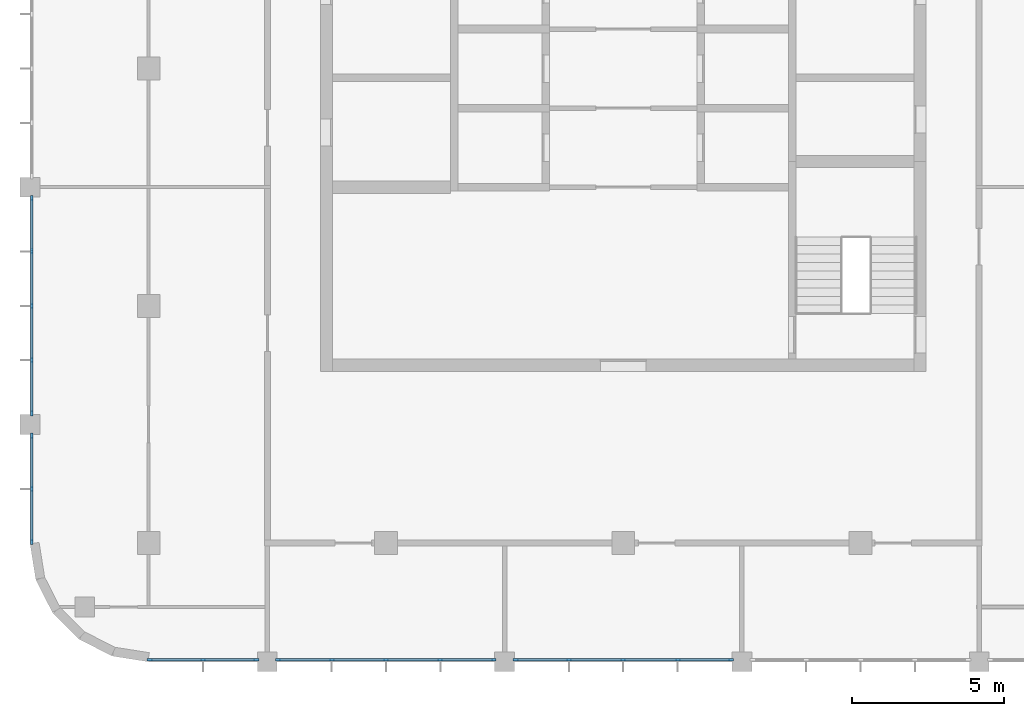
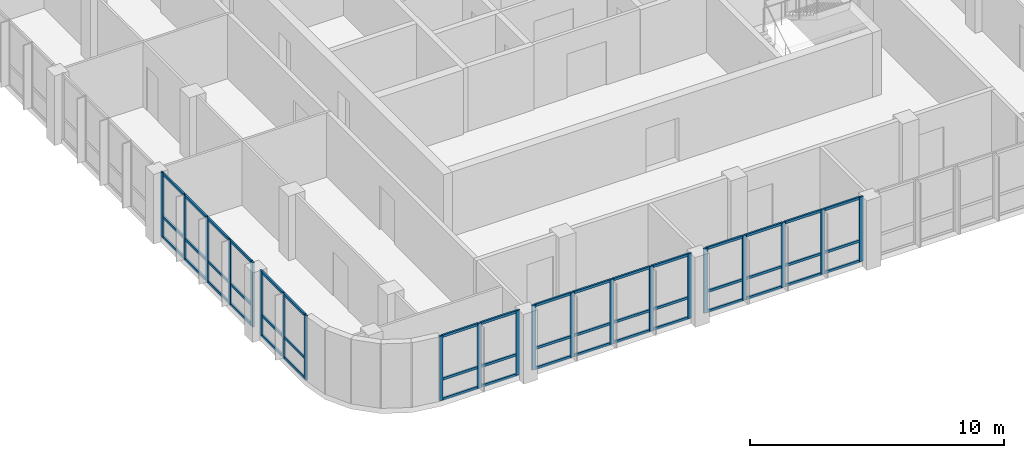
# One storey, part 2 of 17: 69 members, 5 elements without a shape of their own.
"""IFC4 building model written with IfcOpenShell, lengths in metres."""

from ifc_helpers import new_model, si_unit, direction, frame, origin, origin_2d, place, context, subcontext, project, spatial, rectangle, extrude, material, material_profile, profile_set, type_object, element, aggregate, save


model = new_model("IFC4")

# Units and contexts
model_context = context("Model", 3, precision=1e-05, world=origin(), true_north=direction((0.0, 1.0)))
body_context = subcontext(model_context, "Body", "Model", "MODEL_VIEW")
ifc_project = project(units=[si_unit("LENGTHUNIT", "METRE"), si_unit("AREAUNIT", "SQUARE_METRE"), si_unit("VOLUMEUNIT", "CUBIC_METRE"), si_unit("PLANEANGLEUNIT", "RADIAN"), si_unit("MASSUNIT", "GRAM", prefix="KILO")], contexts=[model_context])

# Site, building, storey
site_placement = place(None, origin())
site = spatial("IfcSite", under=ifc_project, at=site_placement, CompositionType="ELEMENT")
building_placement = place(site_placement, origin())
building = spatial("IfcBuilding", under=site, at=building_placement, Name="Ludao Terraces", CompositionType="ELEMENT")
storey_placement = place(building_placement, frame((0.0, 0.0, 263.0)))
storey = spatial("IfcBuildingStorey", under=building, at=storey_placement, Name="L72", CompositionType="ELEMENT", Elevation=263.0)

# Curtain wall, members
ifc_material_1 = material(Name="Aluminium curtain wall with fritted glass", Category="aluminium")
curtain_wall_type = type_object("IfcCurtainWallType", Name="ENV CW4 lounge glazing", PredefinedType="NOTDEFINED", material=ifc_material_1)
curtain_wall_1_placement = place(storey_placement, origin())
curtain_wall_1 = element("IfcCurtainWall", 1, at=curtain_wall_1_placement, inside=storey, type_object=curtain_wall_type, Name="Sky lounge glazing L72 S1", PredefinedType="NOTDEFINED")
ifc_material_2 = material(Name="Aluminium 6063-T6", Category="aluminium")
ifc_material_profile_1 = material_profile(ifc_material_2, rectangle(XDim=0.080078125, YDim=0.179931640625, at=origin_2d()), Name="80 X 180")
ifc_profile_set_1 = profile_set([ifc_material_profile_1], Name="Aluminium 6063-T6")
member_type_1 = type_object("IfcMemberType", Name="ENV CW4 mullion 80x180", PredefinedType="MULLION", material=ifc_profile_set_1)
member_1_placement = place(storey_placement, frame((69.43994140625, 45.56005859375, 0.0), z_axis=(0.0, 0.0, 1.0), x_axis=(0.0, 1.0, 0.0)))
member_1 = element("IfcMember", 2, at=member_1_placement, type_object=member_type_1, Name="CW4 mullion 1", PredefinedType="MULLION", context=body_context, shape_type="SweptSolid", body=[
    extrude(rectangle(XDim=0.080078125, YDim=0.179931640625, at=origin_2d()), origin(), (0.0, 0.0, 1.0), 3.10009765625),
])
member_2_placement = place(storey_placement, frame((71.1875, 45.56005859375, 0.0), z_axis=(0.0, 0.0, 1.0), x_axis=(0.0, 1.0, 0.0)))
member_2 = element("IfcMember", 3, at=member_2_placement, type_object=member_type_1, Name="CW4 mullion 2", PredefinedType="MULLION", context=body_context, shape_type="SweptSolid", body=[
    extrude(rectangle(XDim=0.080078125, YDim=0.179931640625, at=origin_2d()), origin(), (0.0, 0.0, 1.0), 3.10009765625),
])
member_3_placement = place(storey_placement, frame((72.93505859375, 45.56005859375, 0.0), z_axis=(0.0, 0.0, 1.0), x_axis=(0.0, 1.0, 0.0)))
member_3 = element("IfcMember", 4, at=member_3_placement, type_object=member_type_1, Name="CW4 mullion 3", PredefinedType="MULLION", context=body_context, shape_type="SweptSolid", body=[
    extrude(rectangle(XDim=0.080078125, YDim=0.179931640625, at=origin_2d()), origin(), (0.0, 0.0, 1.0), 3.10009765625),
])

curtain_wall_2_placement = place(storey_placement, origin())
curtain_wall_2 = element("IfcCurtainWall", 5, at=curtain_wall_2_placement, inside=storey, type_object=curtain_wall_type, Name="Sky lounge glazing L72 S2", PredefinedType="NOTDEFINED")
member_4_placement = place(storey_placement, frame((73.6650390625, 45.56005859375, 0.0), z_axis=(0.0, 0.0, 1.0), x_axis=(0.0, 1.0, 0.0)))
member_4 = element("IfcMember", 6, at=member_4_placement, type_object=member_type_1, Name="CW4 mullion 1", PredefinedType="MULLION", context=body_context, shape_type="SweptSolid", body=[
    extrude(rectangle(XDim=0.080078125, YDim=0.179931640625, at=origin_2d()), origin(), (0.0, 0.0, 1.0), 3.10009765625),
])
member_5_placement = place(storey_placement, frame((75.41259765625, 45.56005859375, 0.0), z_axis=(0.0, 0.0, 1.0), x_axis=(0.0, 1.0, 0.0)))
member_5 = element("IfcMember", 7, at=member_5_placement, type_object=member_type_1, Name="CW4 mullion 2", PredefinedType="MULLION", context=body_context, shape_type="SweptSolid", body=[
    extrude(rectangle(XDim=0.080078125, YDim=0.179931640625, at=origin_2d()), origin(), (0.0, 0.0, 1.0), 3.10009765625),
])
member_6_placement = place(storey_placement, frame((77.199951171875, 45.56005859375, 0.0), z_axis=(0.0, 0.0, 1.0), x_axis=(0.0, 1.0, 0.0)))
member_6 = element("IfcMember", 8, at=member_6_placement, type_object=member_type_1, Name="CW4 mullion 3", PredefinedType="MULLION", context=body_context, shape_type="SweptSolid", body=[
    extrude(rectangle(XDim=0.080078125, YDim=0.179931640625, at=origin_2d()), origin(), (0.0, 0.0, 1.0), 3.10009765625),
])
member_7_placement = place(storey_placement, frame((78.987548828125, 45.56005859375, 0.0), z_axis=(0.0, 0.0, 1.0), x_axis=(0.0, 1.0, 0.0)))
member_7 = element("IfcMember", 9, at=member_7_placement, type_object=member_type_1, Name="CW4 mullion 4", PredefinedType="MULLION", context=body_context, shape_type="SweptSolid", body=[
    extrude(rectangle(XDim=0.080078125, YDim=0.179931640625, at=origin_2d()), origin(), (0.0, 0.0, 1.0), 3.10009765625),
])
member_8_placement = place(storey_placement, frame((80.735107421875, 45.56005859375, 0.0), z_axis=(0.0, 0.0, 1.0), x_axis=(0.0, 1.0, 0.0)))
member_8 = element("IfcMember", 10, at=member_8_placement, type_object=member_type_1, Name="CW4 mullion 5", PredefinedType="MULLION", context=body_context, shape_type="SweptSolid", body=[
    extrude(rectangle(XDim=0.080078125, YDim=0.179931640625, at=origin_2d()), origin(), (0.0, 0.0, 1.0), 3.10009765625),
])

curtain_wall_3_placement = place(storey_placement, origin())
curtain_wall_3 = element("IfcCurtainWall", 11, at=curtain_wall_3_placement, inside=storey, type_object=curtain_wall_type, Name="Sky lounge glazing L72 S3", PredefinedType="NOTDEFINED")
member_9_placement = place(storey_placement, frame((81.465087890625, 45.56005859375, 0.0), z_axis=(0.0, 0.0, 1.0), x_axis=(0.0, 1.0, 0.0)))
member_9 = element("IfcMember", 12, at=member_9_placement, type_object=member_type_1, Name="CW4 mullion 1", PredefinedType="MULLION", context=body_context, shape_type="SweptSolid", body=[
    extrude(rectangle(XDim=0.080078125, YDim=0.179931640625, at=origin_2d()), origin(), (0.0, 0.0, 1.0), 3.10009765625),
])
member_10_placement = place(storey_placement, frame((83.21240234375, 45.56005859375, 0.0), z_axis=(0.0, 0.0, 1.0), x_axis=(0.0, 1.0, 0.0)))
member_10 = element("IfcMember", 13, at=member_10_placement, type_object=member_type_1, Name="CW4 mullion 2", PredefinedType="MULLION", context=body_context, shape_type="SweptSolid", body=[
    extrude(rectangle(XDim=0.080078125, YDim=0.179931640625, at=origin_2d()), origin(), (0.0, 0.0, 1.0), 3.10009765625),
])
member_11_placement = place(storey_placement, frame((85.0, 45.56005859375, 0.0), z_axis=(0.0, 0.0, 1.0), x_axis=(0.0, 1.0, 0.0)))
member_11 = element("IfcMember", 14, at=member_11_placement, type_object=member_type_1, Name="CW4 mullion 3", PredefinedType="MULLION", context=body_context, shape_type="SweptSolid", body=[
    extrude(rectangle(XDim=0.080078125, YDim=0.179931640625, at=origin_2d()), origin(), (0.0, 0.0, 1.0), 3.10009765625),
])
member_12_placement = place(storey_placement, frame((86.78759765625, 45.56005859375, 0.0), z_axis=(0.0, 0.0, 1.0), x_axis=(0.0, 1.0, 0.0)))
member_12 = element("IfcMember", 15, at=member_12_placement, type_object=member_type_1, Name="CW4 mullion 4", PredefinedType="MULLION", context=body_context, shape_type="SweptSolid", body=[
    extrude(rectangle(XDim=0.080078125, YDim=0.179931640625, at=origin_2d()), origin(), (0.0, 0.0, 1.0), 3.10009765625),
])
member_13_placement = place(storey_placement, frame((88.534912109375, 45.56005859375, 0.0), z_axis=(0.0, 0.0, 1.0), x_axis=(0.0, 1.0, 0.0)))
member_13 = element("IfcMember", 16, at=member_13_placement, type_object=member_type_1, Name="CW4 mullion 5", PredefinedType="MULLION", context=body_context, shape_type="SweptSolid", body=[
    extrude(rectangle(XDim=0.080078125, YDim=0.179931640625, at=origin_2d()), origin(), (0.0, 0.0, 1.0), 3.10009765625),
])

curtain_wall_4_placement = place(storey_placement, origin())
curtain_wall_4 = element("IfcCurtainWall", 17, at=curtain_wall_4_placement, inside=storey, type_object=curtain_wall_type, Name="Sky lounge glazing L72 W1", PredefinedType="NOTDEFINED")
member_14_placement = place(storey_placement, frame((65.56005859375, 49.43994140625, 0.0), z_axis=(0.0, 0.0, 1.0), x_axis=(-1.0, 0.0, 0.0)))
member_14 = element("IfcMember", 18, at=member_14_placement, type_object=member_type_1, Name="CW4 mullion 1", PredefinedType="MULLION", context=body_context, shape_type="SweptSolid", body=[
    extrude(rectangle(XDim=0.080078125, YDim=0.179931640625, at=origin_2d()), origin(), (0.0, 0.0, 1.0), 3.10009765625),
])
member_15_placement = place(storey_placement, frame((65.56005859375, 51.1875, 0.0), z_axis=(0.0, 0.0, 1.0), x_axis=(-1.0, 0.0, 0.0)))
member_15 = element("IfcMember", 19, at=member_15_placement, type_object=member_type_1, Name="CW4 mullion 2", PredefinedType="MULLION", context=body_context, shape_type="SweptSolid", body=[
    extrude(rectangle(XDim=0.080078125, YDim=0.179931640625, at=origin_2d()), origin(), (0.0, 0.0, 1.0), 3.10009765625),
])
member_16_placement = place(storey_placement, frame((65.56005859375, 52.93505859375, 0.0), z_axis=(0.0, 0.0, 1.0), x_axis=(-1.0, 0.0, 0.0)))
member_16 = element("IfcMember", 20, at=member_16_placement, type_object=member_type_1, Name="CW4 mullion 3", PredefinedType="MULLION", context=body_context, shape_type="SweptSolid", body=[
    extrude(rectangle(XDim=0.080078125, YDim=0.179931640625, at=origin_2d()), origin(), (0.0, 0.0, 1.0), 3.10009765625),
])

curtain_wall_5_placement = place(storey_placement, origin())
curtain_wall_5 = element("IfcCurtainWall", 21, at=curtain_wall_5_placement, inside=storey, type_object=curtain_wall_type, Name="Sky lounge glazing L72 W2", PredefinedType="NOTDEFINED")
member_17_placement = place(storey_placement, frame((65.56005859375, 53.6650390625, 0.0), z_axis=(0.0, 0.0, 1.0), x_axis=(-1.0, 0.0, 0.0)))
member_17 = element("IfcMember", 22, at=member_17_placement, type_object=member_type_1, Name="CW4 mullion 1", PredefinedType="MULLION", context=body_context, shape_type="SweptSolid", body=[
    extrude(rectangle(XDim=0.080078125, YDim=0.179931640625, at=origin_2d()), origin(), (0.0, 0.0, 1.0), 3.10009765625),
])
member_18_placement = place(storey_placement, frame((65.56005859375, 55.41259765625, 0.0), z_axis=(0.0, 0.0, 1.0), x_axis=(-1.0, 0.0, 0.0)))
member_18 = element("IfcMember", 23, at=member_18_placement, type_object=member_type_1, Name="CW4 mullion 2", PredefinedType="MULLION", context=body_context, shape_type="SweptSolid", body=[
    extrude(rectangle(XDim=0.080078125, YDim=0.179931640625, at=origin_2d()), origin(), (0.0, 0.0, 1.0), 3.10009765625),
])
member_19_placement = place(storey_placement, frame((65.56005859375, 57.199951171875, 0.0), z_axis=(0.0, 0.0, 1.0), x_axis=(-1.0, 0.0, 0.0)))
member_19 = element("IfcMember", 24, at=member_19_placement, type_object=member_type_1, Name="CW4 mullion 3", PredefinedType="MULLION", context=body_context, shape_type="SweptSolid", body=[
    extrude(rectangle(XDim=0.080078125, YDim=0.179931640625, at=origin_2d()), origin(), (0.0, 0.0, 1.0), 3.10009765625),
])
member_20_placement = place(storey_placement, frame((65.56005859375, 58.987548828125, 0.0), z_axis=(0.0, 0.0, 1.0), x_axis=(-1.0, 0.0, 0.0)))
member_20 = element("IfcMember", 25, at=member_20_placement, type_object=member_type_1, Name="CW4 mullion 4", PredefinedType="MULLION", context=body_context, shape_type="SweptSolid", body=[
    extrude(rectangle(XDim=0.080078125, YDim=0.179931640625, at=origin_2d()), origin(), (0.0, 0.0, 1.0), 3.10009765625),
])
member_21_placement = place(storey_placement, frame((65.56005859375, 60.735107421875, 0.0), z_axis=(0.0, 0.0, 1.0), x_axis=(-1.0, 0.0, 0.0)))
member_21 = element("IfcMember", 26, at=member_21_placement, type_object=member_type_1, Name="CW4 mullion 5", PredefinedType="MULLION", context=body_context, shape_type="SweptSolid", body=[
    extrude(rectangle(XDim=0.080078125, YDim=0.179931640625, at=origin_2d()), origin(), (0.0, 0.0, 1.0), 3.10009765625),
])

# Member
ifc_material_profile_2 = material_profile(ifc_material_2, rectangle(XDim=0.080078125, YDim=0.1201171875, at=origin_2d()), Name="80 X 120")
ifc_profile_set_2 = profile_set([ifc_material_profile_2], Name="Aluminium 6063-T6")
member_type_2 = type_object("IfcMemberType", Name="ENV CW4 transom 80x120", PredefinedType="USERDEFINED", material=ifc_profile_set_2)
member_22_placement = place(storey_placement, frame((69.47998046875, 45.56005859375, 0.0400390625), z_axis=(1.0, 0.0, 0.0), x_axis=(0.0, 1.0, 0.0)))
member_22 = element("IfcMember", 27, at=member_22_placement, type_object=member_type_2, Name="CW4 transom 1.1", ObjectType="TRANSOM", PredefinedType="USERDEFINED", context=body_context, shape_type="SweptSolid", body=[
    extrude(rectangle(XDim=0.080078125, YDim=0.1201171875, at=origin_2d()), origin(), (0.0, 0.0, 1.0), 1.66748046875),
])

member_23_placement = place(storey_placement, frame((69.47998046875, 45.56005859375, 1.0), z_axis=(1.0, 0.0, 0.0), x_axis=(0.0, 1.0, 0.0)))
member_23 = element("IfcMember", 28, at=member_23_placement, type_object=member_type_2, Name="CW4 transom 1.2", ObjectType="TRANSOM", PredefinedType="USERDEFINED", context=body_context, shape_type="SweptSolid", body=[
    extrude(rectangle(XDim=0.080078125, YDim=0.1201171875, at=origin_2d()), origin(), (0.0, 0.0, 1.0), 1.66748046875),
])

member_24_placement = place(storey_placement, frame((69.47998046875, 45.56005859375, 3.06005859375), z_axis=(1.0, 0.0, 0.0), x_axis=(0.0, 1.0, 0.0)))
member_24 = element("IfcMember", 29, at=member_24_placement, type_object=member_type_2, Name="CW4 transom 1.3", ObjectType="TRANSOM", PredefinedType="USERDEFINED", context=body_context, shape_type="SweptSolid", body=[
    extrude(rectangle(XDim=0.080078125, YDim=0.1201171875, at=origin_2d()), origin(), (0.0, 0.0, 1.0), 1.66748046875),
])

member_25_placement = place(storey_placement, frame((71.2275390625, 45.56005859375, 0.0400390625), z_axis=(1.0, 0.0, 0.0), x_axis=(0.0, 1.0, 0.0)))
member_25 = element("IfcMember", 30, at=member_25_placement, type_object=member_type_2, Name="CW4 transom 2.1", ObjectType="TRANSOM", PredefinedType="USERDEFINED", context=body_context, shape_type="SweptSolid", body=[
    extrude(rectangle(XDim=0.080078125, YDim=0.1201171875, at=origin_2d()), origin(), (0.0, 0.0, 1.0), 1.66748046875),
])

member_26_placement = place(storey_placement, frame((71.2275390625, 45.56005859375, 1.0), z_axis=(1.0, 0.0, 0.0), x_axis=(0.0, 1.0, 0.0)))
member_26 = element("IfcMember", 31, at=member_26_placement, type_object=member_type_2, Name="CW4 transom 2.2", ObjectType="TRANSOM", PredefinedType="USERDEFINED", context=body_context, shape_type="SweptSolid", body=[
    extrude(rectangle(XDim=0.080078125, YDim=0.1201171875, at=origin_2d()), origin(), (0.0, 0.0, 1.0), 1.66748046875),
])

member_27_placement = place(storey_placement, frame((71.2275390625, 45.56005859375, 3.06005859375), z_axis=(1.0, 0.0, 0.0), x_axis=(0.0, 1.0, 0.0)))
member_27 = element("IfcMember", 32, at=member_27_placement, type_object=member_type_2, Name="CW4 transom 2.3", ObjectType="TRANSOM", PredefinedType="USERDEFINED", context=body_context, shape_type="SweptSolid", body=[
    extrude(rectangle(XDim=0.080078125, YDim=0.1201171875, at=origin_2d()), origin(), (0.0, 0.0, 1.0), 1.66748046875),
])

aggregate(curtain_wall_1, [member_1, member_2, member_3, member_22, member_23, member_24, member_25, member_26, member_27])

member_28_placement = place(storey_placement, frame((73.705078125, 45.56005859375, 0.0400390625), z_axis=(1.0, 0.0, 0.0), x_axis=(0.0, 1.0, 0.0)))
member_28 = element("IfcMember", 33, at=member_28_placement, type_object=member_type_2, Name="CW4 transom 1.1", ObjectType="TRANSOM", PredefinedType="USERDEFINED", context=body_context, shape_type="SweptSolid", body=[
    extrude(rectangle(XDim=0.080078125, YDim=0.1201171875, at=origin_2d()), origin(), (0.0, 0.0, 1.0), 1.66748046875),
])

member_29_placement = place(storey_placement, frame((73.705078125, 45.56005859375, 1.0), z_axis=(1.0, 0.0, 0.0), x_axis=(0.0, 1.0, 0.0)))
member_29 = element("IfcMember", 34, at=member_29_placement, type_object=member_type_2, Name="CW4 transom 1.2", ObjectType="TRANSOM", PredefinedType="USERDEFINED", context=body_context, shape_type="SweptSolid", body=[
    extrude(rectangle(XDim=0.080078125, YDim=0.1201171875, at=origin_2d()), origin(), (0.0, 0.0, 1.0), 1.66748046875),
])

member_30_placement = place(storey_placement, frame((73.705078125, 45.56005859375, 3.06005859375), z_axis=(1.0, 0.0, 0.0), x_axis=(0.0, 1.0, 0.0)))
member_30 = element("IfcMember", 35, at=member_30_placement, type_object=member_type_2, Name="CW4 transom 1.3", ObjectType="TRANSOM", PredefinedType="USERDEFINED", context=body_context, shape_type="SweptSolid", body=[
    extrude(rectangle(XDim=0.080078125, YDim=0.1201171875, at=origin_2d()), origin(), (0.0, 0.0, 1.0), 1.66748046875),
])

member_31_placement = place(storey_placement, frame((75.452392578125, 45.56005859375, 0.0400390625), z_axis=(1.0, 0.0, 0.0), x_axis=(0.0, 1.0, 0.0)))
member_31 = element("IfcMember", 36, at=member_31_placement, type_object=member_type_2, Name="CW4 transom 2.1", ObjectType="TRANSOM", PredefinedType="USERDEFINED", context=body_context, shape_type="SweptSolid", body=[
    extrude(rectangle(XDim=0.080078125, YDim=0.1201171875, at=origin_2d()), origin(), (0.0, 0.0, 1.0), 1.70751953125),
])

member_32_placement = place(storey_placement, frame((75.452392578125, 45.56005859375, 1.0), z_axis=(1.0, 0.0, 0.0), x_axis=(0.0, 1.0, 0.0)))
member_32 = element("IfcMember", 37, at=member_32_placement, type_object=member_type_2, Name="CW4 transom 2.2", ObjectType="TRANSOM", PredefinedType="USERDEFINED", context=body_context, shape_type="SweptSolid", body=[
    extrude(rectangle(XDim=0.080078125, YDim=0.1201171875, at=origin_2d()), origin(), (0.0, 0.0, 1.0), 1.70751953125),
])

member_33_placement = place(storey_placement, frame((75.452392578125, 45.56005859375, 3.06005859375), z_axis=(1.0, 0.0, 0.0), x_axis=(0.0, 1.0, 0.0)))
member_33 = element("IfcMember", 38, at=member_33_placement, type_object=member_type_2, Name="CW4 transom 2.3", ObjectType="TRANSOM", PredefinedType="USERDEFINED", context=body_context, shape_type="SweptSolid", body=[
    extrude(rectangle(XDim=0.080078125, YDim=0.1201171875, at=origin_2d()), origin(), (0.0, 0.0, 1.0), 1.70751953125),
])

member_34_placement = place(storey_placement, frame((77.239990234375, 45.56005859375, 0.0400390625), z_axis=(1.0, 0.0, 0.0), x_axis=(0.0, 1.0, 0.0)))
member_34 = element("IfcMember", 39, at=member_34_placement, type_object=member_type_2, Name="CW4 transom 3.1", ObjectType="TRANSOM", PredefinedType="USERDEFINED", context=body_context, shape_type="SweptSolid", body=[
    extrude(rectangle(XDim=0.080078125, YDim=0.1201171875, at=origin_2d()), origin(), (0.0, 0.0, 1.0), 1.70751953125),
])

member_35_placement = place(storey_placement, frame((77.239990234375, 45.56005859375, 1.0), z_axis=(1.0, 0.0, 0.0), x_axis=(0.0, 1.0, 0.0)))
member_35 = element("IfcMember", 40, at=member_35_placement, type_object=member_type_2, Name="CW4 transom 3.2", ObjectType="TRANSOM", PredefinedType="USERDEFINED", context=body_context, shape_type="SweptSolid", body=[
    extrude(rectangle(XDim=0.080078125, YDim=0.1201171875, at=origin_2d()), origin(), (0.0, 0.0, 1.0), 1.70751953125),
])

member_36_placement = place(storey_placement, frame((77.239990234375, 45.56005859375, 3.06005859375), z_axis=(1.0, 0.0, 0.0), x_axis=(0.0, 1.0, 0.0)))
member_36 = element("IfcMember", 41, at=member_36_placement, type_object=member_type_2, Name="CW4 transom 3.3", ObjectType="TRANSOM", PredefinedType="USERDEFINED", context=body_context, shape_type="SweptSolid", body=[
    extrude(rectangle(XDim=0.080078125, YDim=0.1201171875, at=origin_2d()), origin(), (0.0, 0.0, 1.0), 1.70751953125),
])

member_37_placement = place(storey_placement, frame((79.027587890625, 45.56005859375, 0.0400390625), z_axis=(1.0, 0.0, 0.0), x_axis=(0.0, 1.0, 0.0)))
member_37 = element("IfcMember", 42, at=member_37_placement, type_object=member_type_2, Name="CW4 transom 4.1", ObjectType="TRANSOM", PredefinedType="USERDEFINED", context=body_context, shape_type="SweptSolid", body=[
    extrude(rectangle(XDim=0.080078125, YDim=0.1201171875, at=origin_2d()), origin(), (0.0, 0.0, 1.0), 1.66748046875),
])

member_38_placement = place(storey_placement, frame((79.027587890625, 45.56005859375, 1.0), z_axis=(1.0, 0.0, 0.0), x_axis=(0.0, 1.0, 0.0)))
member_38 = element("IfcMember", 43, at=member_38_placement, type_object=member_type_2, Name="CW4 transom 4.2", ObjectType="TRANSOM", PredefinedType="USERDEFINED", context=body_context, shape_type="SweptSolid", body=[
    extrude(rectangle(XDim=0.080078125, YDim=0.1201171875, at=origin_2d()), origin(), (0.0, 0.0, 1.0), 1.66748046875),
])

member_39_placement = place(storey_placement, frame((79.027587890625, 45.56005859375, 3.06005859375), z_axis=(1.0, 0.0, 0.0), x_axis=(0.0, 1.0, 0.0)))
member_39 = element("IfcMember", 44, at=member_39_placement, type_object=member_type_2, Name="CW4 transom 4.3", ObjectType="TRANSOM", PredefinedType="USERDEFINED", context=body_context, shape_type="SweptSolid", body=[
    extrude(rectangle(XDim=0.080078125, YDim=0.1201171875, at=origin_2d()), origin(), (0.0, 0.0, 1.0), 1.66748046875),
])

aggregate(curtain_wall_2, [member_4, member_5, member_6, member_7, member_8, member_28, member_29, member_30, member_31, member_32, member_33, member_34, member_35, member_36, member_37, member_38, member_39])

member_40_placement = place(storey_placement, frame((81.5048828125, 45.56005859375, 0.0400390625), z_axis=(1.0, 0.0, 0.0), x_axis=(0.0, 1.0, 0.0)))
member_40 = element("IfcMember", 45, at=member_40_placement, type_object=member_type_2, Name="CW4 transom 1.1", ObjectType="TRANSOM", PredefinedType="USERDEFINED", context=body_context, shape_type="SweptSolid", body=[
    extrude(rectangle(XDim=0.080078125, YDim=0.1201171875, at=origin_2d()), origin(), (0.0, 0.0, 1.0), 1.667724609375),
])

member_41_placement = place(storey_placement, frame((81.5048828125, 45.56005859375, 1.0), z_axis=(1.0, 0.0, 0.0), x_axis=(0.0, 1.0, 0.0)))
member_41 = element("IfcMember", 46, at=member_41_placement, type_object=member_type_2, Name="CW4 transom 1.2", ObjectType="TRANSOM", PredefinedType="USERDEFINED", context=body_context, shape_type="SweptSolid", body=[
    extrude(rectangle(XDim=0.080078125, YDim=0.1201171875, at=origin_2d()), origin(), (0.0, 0.0, 1.0), 1.667724609375),
])

member_42_placement = place(storey_placement, frame((81.5048828125, 45.56005859375, 3.06005859375), z_axis=(1.0, 0.0, 0.0), x_axis=(0.0, 1.0, 0.0)))
member_42 = element("IfcMember", 47, at=member_42_placement, type_object=member_type_2, Name="CW4 transom 1.3", ObjectType="TRANSOM", PredefinedType="USERDEFINED", context=body_context, shape_type="SweptSolid", body=[
    extrude(rectangle(XDim=0.080078125, YDim=0.1201171875, at=origin_2d()), origin(), (0.0, 0.0, 1.0), 1.667724609375),
])

member_43_placement = place(storey_placement, frame((83.25244140625, 45.56005859375, 0.0400390625), z_axis=(1.0, 0.0, 0.0), x_axis=(0.0, 1.0, 0.0)))
member_43 = element("IfcMember", 48, at=member_43_placement, type_object=member_type_2, Name="CW4 transom 2.1", ObjectType="TRANSOM", PredefinedType="USERDEFINED", context=body_context, shape_type="SweptSolid", body=[
    extrude(rectangle(XDim=0.080078125, YDim=0.1201171875, at=origin_2d()), origin(), (0.0, 0.0, 1.0), 1.70751953125),
])

member_44_placement = place(storey_placement, frame((83.25244140625, 45.56005859375, 1.0), z_axis=(1.0, 0.0, 0.0), x_axis=(0.0, 1.0, 0.0)))
member_44 = element("IfcMember", 49, at=member_44_placement, type_object=member_type_2, Name="CW4 transom 2.2", ObjectType="TRANSOM", PredefinedType="USERDEFINED", context=body_context, shape_type="SweptSolid", body=[
    extrude(rectangle(XDim=0.080078125, YDim=0.1201171875, at=origin_2d()), origin(), (0.0, 0.0, 1.0), 1.70751953125),
])

member_45_placement = place(storey_placement, frame((83.25244140625, 45.56005859375, 3.06005859375), z_axis=(1.0, 0.0, 0.0), x_axis=(0.0, 1.0, 0.0)))
member_45 = element("IfcMember", 50, at=member_45_placement, type_object=member_type_2, Name="CW4 transom 2.3", ObjectType="TRANSOM", PredefinedType="USERDEFINED", context=body_context, shape_type="SweptSolid", body=[
    extrude(rectangle(XDim=0.080078125, YDim=0.1201171875, at=origin_2d()), origin(), (0.0, 0.0, 1.0), 1.70751953125),
])

member_46_placement = place(storey_placement, frame((85.0400390625, 45.56005859375, 0.0400390625), z_axis=(1.0, 0.0, 0.0), x_axis=(0.0, 1.0, 0.0)))
member_46 = element("IfcMember", 51, at=member_46_placement, type_object=member_type_2, Name="CW4 transom 3.1", ObjectType="TRANSOM", PredefinedType="USERDEFINED", context=body_context, shape_type="SweptSolid", body=[
    extrude(rectangle(XDim=0.080078125, YDim=0.1201171875, at=origin_2d()), origin(), (0.0, 0.0, 1.0), 1.70751953125),
])

member_47_placement = place(storey_placement, frame((85.0400390625, 45.56005859375, 1.0), z_axis=(1.0, 0.0, 0.0), x_axis=(0.0, 1.0, 0.0)))
member_47 = element("IfcMember", 52, at=member_47_placement, type_object=member_type_2, Name="CW4 transom 3.2", ObjectType="TRANSOM", PredefinedType="USERDEFINED", context=body_context, shape_type="SweptSolid", body=[
    extrude(rectangle(XDim=0.080078125, YDim=0.1201171875, at=origin_2d()), origin(), (0.0, 0.0, 1.0), 1.70751953125),
])

member_48_placement = place(storey_placement, frame((85.0400390625, 45.56005859375, 3.06005859375), z_axis=(1.0, 0.0, 0.0), x_axis=(0.0, 1.0, 0.0)))
member_48 = element("IfcMember", 53, at=member_48_placement, type_object=member_type_2, Name="CW4 transom 3.3", ObjectType="TRANSOM", PredefinedType="USERDEFINED", context=body_context, shape_type="SweptSolid", body=[
    extrude(rectangle(XDim=0.080078125, YDim=0.1201171875, at=origin_2d()), origin(), (0.0, 0.0, 1.0), 1.70751953125),
])

member_49_placement = place(storey_placement, frame((86.827392578125, 45.56005859375, 0.0400390625), z_axis=(1.0, 0.0, 0.0), x_axis=(0.0, 1.0, 0.0)))
member_49 = element("IfcMember", 54, at=member_49_placement, type_object=member_type_2, Name="CW4 transom 4.1", ObjectType="TRANSOM", PredefinedType="USERDEFINED", context=body_context, shape_type="SweptSolid", body=[
    extrude(rectangle(XDim=0.080078125, YDim=0.1201171875, at=origin_2d()), origin(), (0.0, 0.0, 1.0), 1.667724609375),
])

member_50_placement = place(storey_placement, frame((86.827392578125, 45.56005859375, 1.0), z_axis=(1.0, 0.0, 0.0), x_axis=(0.0, 1.0, 0.0)))
member_50 = element("IfcMember", 55, at=member_50_placement, type_object=member_type_2, Name="CW4 transom 4.2", ObjectType="TRANSOM", PredefinedType="USERDEFINED", context=body_context, shape_type="SweptSolid", body=[
    extrude(rectangle(XDim=0.080078125, YDim=0.1201171875, at=origin_2d()), origin(), (0.0, 0.0, 1.0), 1.667724609375),
])

member_51_placement = place(storey_placement, frame((86.827392578125, 45.56005859375, 3.06005859375), z_axis=(1.0, 0.0, 0.0), x_axis=(0.0, 1.0, 0.0)))
member_51 = element("IfcMember", 56, at=member_51_placement, type_object=member_type_2, Name="CW4 transom 4.3", ObjectType="TRANSOM", PredefinedType="USERDEFINED", context=body_context, shape_type="SweptSolid", body=[
    extrude(rectangle(XDim=0.080078125, YDim=0.1201171875, at=origin_2d()), origin(), (0.0, 0.0, 1.0), 1.667724609375),
])

aggregate(curtain_wall_3, [member_9, member_10, member_11, member_12, member_13, member_40, member_41, member_42, member_43, member_44, member_45, member_46, member_47, member_48, member_49, member_50, member_51])

member_52_placement = place(storey_placement, frame((65.56005859375, 49.47998046875, 0.0400390625), z_axis=(0.0, 1.0, 0.0), x_axis=(-1.0, 0.0, 0.0)))
member_52 = element("IfcMember", 57, at=member_52_placement, type_object=member_type_2, Name="CW4 transom 1.1", ObjectType="TRANSOM", PredefinedType="USERDEFINED", context=body_context, shape_type="SweptSolid", body=[
    extrude(rectangle(XDim=0.080078125, YDim=0.1201171875, at=origin_2d()), origin(), (0.0, 0.0, 1.0), 1.66748046875),
])

member_53_placement = place(storey_placement, frame((65.56005859375, 49.47998046875, 1.0), z_axis=(0.0, 1.0, 0.0), x_axis=(-1.0, 0.0, 0.0)))
member_53 = element("IfcMember", 58, at=member_53_placement, type_object=member_type_2, Name="CW4 transom 1.2", ObjectType="TRANSOM", PredefinedType="USERDEFINED", context=body_context, shape_type="SweptSolid", body=[
    extrude(rectangle(XDim=0.080078125, YDim=0.1201171875, at=origin_2d()), origin(), (0.0, 0.0, 1.0), 1.66748046875),
])

member_54_placement = place(storey_placement, frame((65.56005859375, 49.47998046875, 3.06005859375), z_axis=(0.0, 1.0, 0.0), x_axis=(-1.0, 0.0, 0.0)))
member_54 = element("IfcMember", 59, at=member_54_placement, type_object=member_type_2, Name="CW4 transom 1.3", ObjectType="TRANSOM", PredefinedType="USERDEFINED", context=body_context, shape_type="SweptSolid", body=[
    extrude(rectangle(XDim=0.080078125, YDim=0.1201171875, at=origin_2d()), origin(), (0.0, 0.0, 1.0), 1.66748046875),
])

member_55_placement = place(storey_placement, frame((65.56005859375, 51.2275390625, 0.0400390625), z_axis=(0.0, 1.0, 0.0), x_axis=(-1.0, 0.0, 0.0)))
member_55 = element("IfcMember", 60, at=member_55_placement, type_object=member_type_2, Name="CW4 transom 2.1", ObjectType="TRANSOM", PredefinedType="USERDEFINED", context=body_context, shape_type="SweptSolid", body=[
    extrude(rectangle(XDim=0.080078125, YDim=0.1201171875, at=origin_2d()), origin(), (0.0, 0.0, 1.0), 1.66748046875),
])

member_56_placement = place(storey_placement, frame((65.56005859375, 51.2275390625, 1.0), z_axis=(0.0, 1.0, 0.0), x_axis=(-1.0, 0.0, 0.0)))
member_56 = element("IfcMember", 61, at=member_56_placement, type_object=member_type_2, Name="CW4 transom 2.2", ObjectType="TRANSOM", PredefinedType="USERDEFINED", context=body_context, shape_type="SweptSolid", body=[
    extrude(rectangle(XDim=0.080078125, YDim=0.1201171875, at=origin_2d()), origin(), (0.0, 0.0, 1.0), 1.66748046875),
])

member_57_placement = place(storey_placement, frame((65.56005859375, 51.2275390625, 3.06005859375), z_axis=(0.0, 1.0, 0.0), x_axis=(-1.0, 0.0, 0.0)))
member_57 = element("IfcMember", 62, at=member_57_placement, type_object=member_type_2, Name="CW4 transom 2.3", ObjectType="TRANSOM", PredefinedType="USERDEFINED", context=body_context, shape_type="SweptSolid", body=[
    extrude(rectangle(XDim=0.080078125, YDim=0.1201171875, at=origin_2d()), origin(), (0.0, 0.0, 1.0), 1.66748046875),
])

aggregate(curtain_wall_4, [member_14, member_15, member_16, member_52, member_53, member_54, member_55, member_56, member_57])

member_58_placement = place(storey_placement, frame((65.56005859375, 53.705078125, 0.0400390625), z_axis=(0.0, 1.0, 0.0), x_axis=(-1.0, 0.0, 0.0)))
member_58 = element("IfcMember", 63, at=member_58_placement, type_object=member_type_2, Name="CW4 transom 1.1", ObjectType="TRANSOM", PredefinedType="USERDEFINED", context=body_context, shape_type="SweptSolid", body=[
    extrude(rectangle(XDim=0.080078125, YDim=0.1201171875, at=origin_2d()), origin(), (0.0, 0.0, 1.0), 1.66748046875),
])

member_59_placement = place(storey_placement, frame((65.56005859375, 53.705078125, 1.0), z_axis=(0.0, 1.0, 0.0), x_axis=(-1.0, 0.0, 0.0)))
member_59 = element("IfcMember", 64, at=member_59_placement, type_object=member_type_2, Name="CW4 transom 1.2", ObjectType="TRANSOM", PredefinedType="USERDEFINED", context=body_context, shape_type="SweptSolid", body=[
    extrude(rectangle(XDim=0.080078125, YDim=0.1201171875, at=origin_2d()), origin(), (0.0, 0.0, 1.0), 1.66748046875),
])

member_60_placement = place(storey_placement, frame((65.56005859375, 53.705078125, 3.06005859375), z_axis=(0.0, 1.0, 0.0), x_axis=(-1.0, 0.0, 0.0)))
member_60 = element("IfcMember", 65, at=member_60_placement, type_object=member_type_2, Name="CW4 transom 1.3", ObjectType="TRANSOM", PredefinedType="USERDEFINED", context=body_context, shape_type="SweptSolid", body=[
    extrude(rectangle(XDim=0.080078125, YDim=0.1201171875, at=origin_2d()), origin(), (0.0, 0.0, 1.0), 1.66748046875),
])

member_61_placement = place(storey_placement, frame((65.56005859375, 55.452392578125, 0.0400390625), z_axis=(0.0, 1.0, 0.0), x_axis=(-1.0, 0.0, 0.0)))
member_61 = element("IfcMember", 66, at=member_61_placement, type_object=member_type_2, Name="CW4 transom 2.1", ObjectType="TRANSOM", PredefinedType="USERDEFINED", context=body_context, shape_type="SweptSolid", body=[
    extrude(rectangle(XDim=0.080078125, YDim=0.1201171875, at=origin_2d()), origin(), (0.0, 0.0, 1.0), 1.70751953125),
])

member_62_placement = place(storey_placement, frame((65.56005859375, 55.452392578125, 1.0), z_axis=(0.0, 1.0, 0.0), x_axis=(-1.0, 0.0, 0.0)))
member_62 = element("IfcMember", 67, at=member_62_placement, type_object=member_type_2, Name="CW4 transom 2.2", ObjectType="TRANSOM", PredefinedType="USERDEFINED", context=body_context, shape_type="SweptSolid", body=[
    extrude(rectangle(XDim=0.080078125, YDim=0.1201171875, at=origin_2d()), origin(), (0.0, 0.0, 1.0), 1.70751953125),
])

member_63_placement = place(storey_placement, frame((65.56005859375, 55.452392578125, 3.06005859375), z_axis=(0.0, 1.0, 0.0), x_axis=(-1.0, 0.0, 0.0)))
member_63 = element("IfcMember", 68, at=member_63_placement, type_object=member_type_2, Name="CW4 transom 2.3", ObjectType="TRANSOM", PredefinedType="USERDEFINED", context=body_context, shape_type="SweptSolid", body=[
    extrude(rectangle(XDim=0.080078125, YDim=0.1201171875, at=origin_2d()), origin(), (0.0, 0.0, 1.0), 1.70751953125),
])

member_64_placement = place(storey_placement, frame((65.56005859375, 57.239990234375, 0.0400390625), z_axis=(0.0, 1.0, 0.0), x_axis=(-1.0, 0.0, 0.0)))
member_64 = element("IfcMember", 69, at=member_64_placement, type_object=member_type_2, Name="CW4 transom 3.1", ObjectType="TRANSOM", PredefinedType="USERDEFINED", context=body_context, shape_type="SweptSolid", body=[
    extrude(rectangle(XDim=0.080078125, YDim=0.1201171875, at=origin_2d()), origin(), (0.0, 0.0, 1.0), 1.70751953125),
])

member_65_placement = place(storey_placement, frame((65.56005859375, 57.239990234375, 1.0), z_axis=(0.0, 1.0, 0.0), x_axis=(-1.0, 0.0, 0.0)))
member_65 = element("IfcMember", 70, at=member_65_placement, type_object=member_type_2, Name="CW4 transom 3.2", ObjectType="TRANSOM", PredefinedType="USERDEFINED", context=body_context, shape_type="SweptSolid", body=[
    extrude(rectangle(XDim=0.080078125, YDim=0.1201171875, at=origin_2d()), origin(), (0.0, 0.0, 1.0), 1.70751953125),
])

member_66_placement = place(storey_placement, frame((65.56005859375, 57.239990234375, 3.06005859375), z_axis=(0.0, 1.0, 0.0), x_axis=(-1.0, 0.0, 0.0)))
member_66 = element("IfcMember", 71, at=member_66_placement, type_object=member_type_2, Name="CW4 transom 3.3", ObjectType="TRANSOM", PredefinedType="USERDEFINED", context=body_context, shape_type="SweptSolid", body=[
    extrude(rectangle(XDim=0.080078125, YDim=0.1201171875, at=origin_2d()), origin(), (0.0, 0.0, 1.0), 1.70751953125),
])

member_67_placement = place(storey_placement, frame((65.56005859375, 59.027587890625, 0.0400390625), z_axis=(0.0, 1.0, 0.0), x_axis=(-1.0, 0.0, 0.0)))
member_67 = element("IfcMember", 72, at=member_67_placement, type_object=member_type_2, Name="CW4 transom 4.1", ObjectType="TRANSOM", PredefinedType="USERDEFINED", context=body_context, shape_type="SweptSolid", body=[
    extrude(rectangle(XDim=0.080078125, YDim=0.1201171875, at=origin_2d()), origin(), (0.0, 0.0, 1.0), 1.66748046875),
])

member_68_placement = place(storey_placement, frame((65.56005859375, 59.027587890625, 1.0), z_axis=(0.0, 1.0, 0.0), x_axis=(-1.0, 0.0, 0.0)))
member_68 = element("IfcMember", 73, at=member_68_placement, type_object=member_type_2, Name="CW4 transom 4.2", ObjectType="TRANSOM", PredefinedType="USERDEFINED", context=body_context, shape_type="SweptSolid", body=[
    extrude(rectangle(XDim=0.080078125, YDim=0.1201171875, at=origin_2d()), origin(), (0.0, 0.0, 1.0), 1.66748046875),
])

member_69_placement = place(storey_placement, frame((65.56005859375, 59.027587890625, 3.06005859375), z_axis=(0.0, 1.0, 0.0), x_axis=(-1.0, 0.0, 0.0)))
member_69 = element("IfcMember", 74, at=member_69_placement, type_object=member_type_2, Name="CW4 transom 4.3", ObjectType="TRANSOM", PredefinedType="USERDEFINED", context=body_context, shape_type="SweptSolid", body=[
    extrude(rectangle(XDim=0.080078125, YDim=0.1201171875, at=origin_2d()), origin(), (0.0, 0.0, 1.0), 1.66748046875),
])

aggregate(curtain_wall_5, [member_17, member_18, member_19, member_20, member_21, member_58, member_59, member_60, member_61, member_62, member_63, member_64, member_65, member_66, member_67, member_68, member_69])

save(model, "model.ifc")
